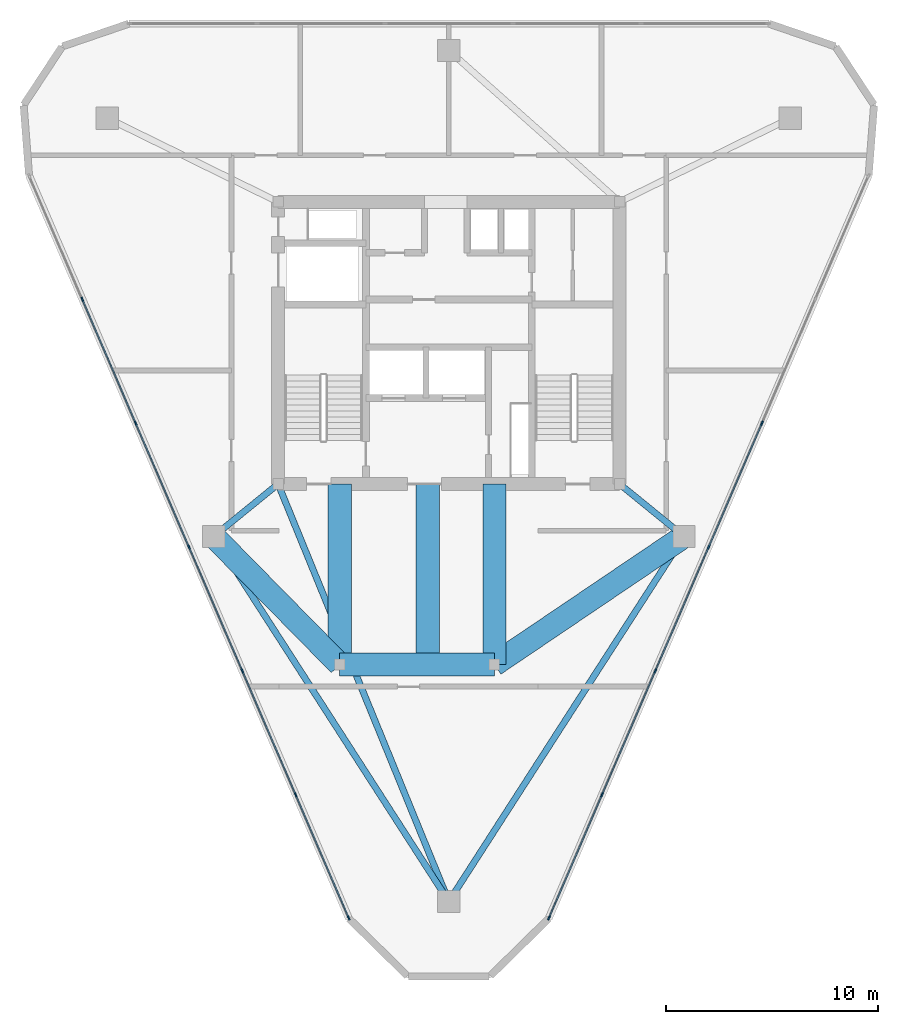
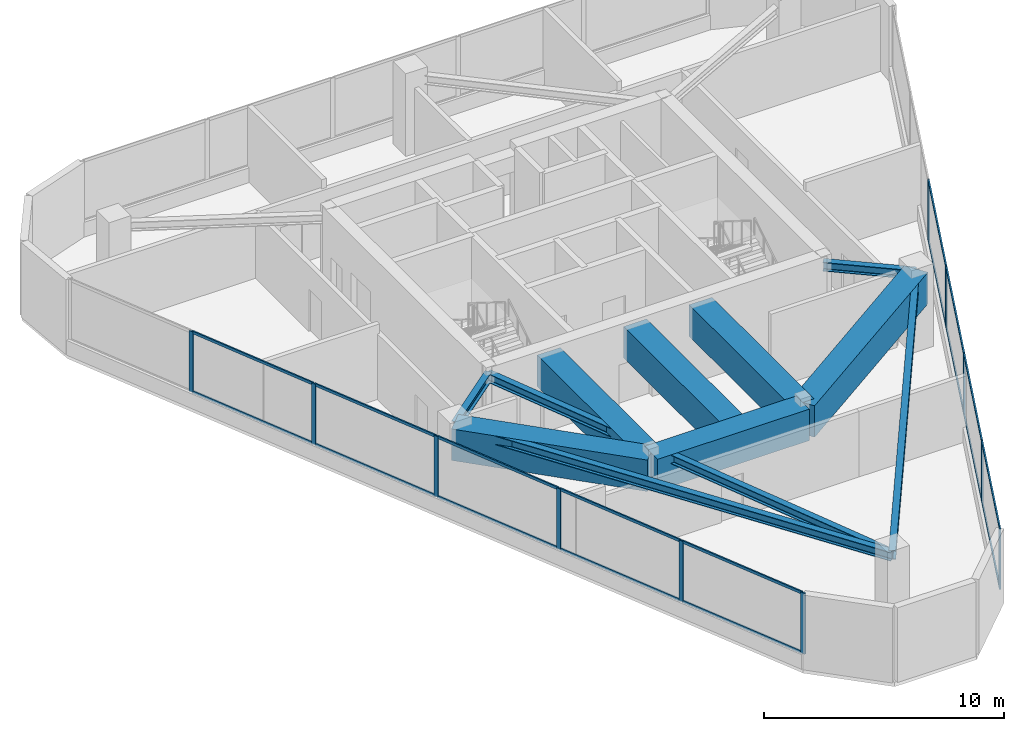
# One storey, part 2 of 7: 29 members, 11 beams, 2 elements without a shape of their own.
"""IFC4 building model written with IfcOpenShell, lengths in metres."""

from ifc_helpers import new_model, si_unit, direction, frame, origin, origin_2d, place, context, subcontext, project, spatial, rectangle, i_section, extrude, material, layer, layer_set, material_profile, profile_set, type_object, element, aggregate, save


model = new_model("IFC4")

# Units and contexts
model_context = context("Model", 3, precision=1e-05, world=origin(), true_north=direction((0.0, 1.0)))
body_context = subcontext(model_context, "Body", "Model", "MODEL_VIEW")
ifc_project = project(units=[si_unit("LENGTHUNIT", "METRE"), si_unit("AREAUNIT", "SQUARE_METRE"), si_unit("VOLUMEUNIT", "CUBIC_METRE"), si_unit("PLANEANGLEUNIT", "RADIAN"), si_unit("MASSUNIT", "GRAM", prefix="KILO")], contexts=[model_context])

# Site, building, storey
site_placement = place(None, origin())
site = spatial("IfcSite", under=ifc_project, at=site_placement, CompositionType="ELEMENT")
building_placement = place(site_placement, origin())
building = spatial("IfcBuilding", under=site, at=building_placement, Name="Talyreon Biosciences Tower", CompositionType="ELEMENT")
storey_placement = place(building_placement, frame((0.0, 0.0, 313.0)))
storey = spatial("IfcBuildingStorey", under=building, at=storey_placement, Name="L83", CompositionType="ELEMENT", Elevation=313.0)

# Curtain wall, members
ifc_material_1 = material(Name="Thermally broken aluminium and low-E glazing", Category="aluminium")
ifc_layer = layer(ifc_material_1, 0.2099609375)
ifc_layer_set = layer_set([ifc_layer], Name="Thermally broken aluminium and low-E glazing")
curtain_wall_type = type_object("IfcCurtainWallType", Name="CurtainWall_SlantedCrown", PredefinedType="NOTDEFINED", material=ifc_layer_set)
curtain_wall_1_placement = place(storey_placement, origin())
curtain_wall_1 = element("IfcCurtainWall", 1, at=curtain_wall_1_placement, inside=storey, type_object=curtain_wall_type, Name="L83 Unitised Curtain Wall FCW-L83-07C", PredefinedType="NOTDEFINED")
ifc_material_2 = material(Name="Anodised thermally broken aluminium", Category="aluminium")
ifc_material_profile_1 = material_profile(ifc_material_2, rectangle(XDim=0.074951171875, YDim=0.2099609375, at=origin_2d()), Name="ALUM MULLION 75x210")
ifc_profile_set_1 = profile_set([ifc_material_profile_1], Name="Anodised thermally broken aluminium")
member_type_1 = type_object("IfcMemberType", Name="CWMullion_75x210", PredefinedType="MULLION", material=ifc_profile_set_1)
member_1_placement = place(storey_placement, frame((80.767822265625, 64.22021484375, 0.7099609375), z_axis=(0.0, 0.0, 1.0), x_axis=(0.918487228756, -0.395450642447, 0.0)))
member_1 = element("IfcMember", 2, at=member_1_placement, type_object=member_type_1, Name="CW8 mullion 3", PredefinedType="MULLION", context=body_context, shape_type="SweptSolid", body=[
    extrude(rectangle(XDim=0.074951171875, YDim=0.2099609375, at=origin_2d()), origin(), (0.0, 0.0, 1.0), 3.090087890625),
])
member_2_placement = place(storey_placement, frame((78.253173828125, 58.379150390625, 0.7099609375), z_axis=(0.0, 0.0, 1.0), x_axis=(0.918487228756, -0.395450642447, 0.0)))
member_2 = element("IfcMember", 3, at=member_2_placement, type_object=member_type_1, Name="CW8 mullion 4", PredefinedType="MULLION", context=body_context, shape_type="SweptSolid", body=[
    extrude(rectangle(XDim=0.074951171875, YDim=0.2099609375, at=origin_2d()), origin(), (0.0, 0.0, 1.0), 3.090087890625),
])
member_3_placement = place(storey_placement, frame((75.73828125, 52.538330078125, 0.7099609375), z_axis=(0.0, 0.0, 1.0), x_axis=(0.918487228756, -0.395450642447, 0.0)))
member_3 = element("IfcMember", 4, at=member_3_placement, type_object=member_type_1, Name="CW8 mullion 5", PredefinedType="MULLION", context=body_context, shape_type="SweptSolid", body=[
    extrude(rectangle(XDim=0.074951171875, YDim=0.2099609375, at=origin_2d()), origin(), (0.0, 0.0, 1.0), 3.090087890625),
])
member_4_placement = place(storey_placement, frame((73.2236328125, 46.697509765625, 0.7099609375), z_axis=(0.0, 0.0, 1.0), x_axis=(0.918487228756, -0.395450642447, 0.0)))
member_4 = element("IfcMember", 5, at=member_4_placement, type_object=member_type_1, Name="CW8 mullion 6", PredefinedType="MULLION", context=body_context, shape_type="SweptSolid", body=[
    extrude(rectangle(XDim=0.074951171875, YDim=0.2099609375, at=origin_2d()), origin(), (0.0, 0.0, 1.0), 3.090087890625),
])
member_5_placement = place(storey_placement, frame((70.7236328125, 40.89111328125, 0.7099609375), z_axis=(0.0, 0.0, 1.0), x_axis=(0.918487228756, -0.395450642447, 0.0)))
member_5 = element("IfcMember", 6, at=member_5_placement, type_object=member_type_1, Name="CW8 mullion 7", PredefinedType="MULLION", context=body_context, shape_type="SweptSolid", body=[
    extrude(rectangle(XDim=0.074951171875, YDim=0.2099609375, at=origin_2d()), origin(), (0.0, 0.0, 1.0), 3.090087890625),
])

curtain_wall_2_placement = place(storey_placement, origin())
curtain_wall_2 = element("IfcCurtainWall", 7, at=curtain_wall_2_placement, inside=storey, type_object=curtain_wall_type, Name="L83 Unitised Curtain Wall FCW-L83-11C", PredefinedType="NOTDEFINED")
member_6_placement = place(storey_placement, frame((61.2763671875, 40.89111328125, 0.7099609375), z_axis=(0.0, 0.0, 1.0), x_axis=(-0.918487228756, -0.395450642447, 0.0)))
member_6 = element("IfcMember", 8, at=member_6_placement, type_object=member_type_1, Name="CW8 mullion 1", PredefinedType="MULLION", context=body_context, shape_type="SweptSolid", body=[
    extrude(rectangle(XDim=0.074951171875, YDim=0.2099609375, at=origin_2d()), origin(), (0.0, 0.0, 1.0), 3.090087890625),
])
member_7_placement = place(storey_placement, frame((58.7763671875, 46.697509765625, 0.7099609375), z_axis=(0.0, 0.0, 1.0), x_axis=(-0.918487228756, -0.395450642447, 0.0)))
member_7 = element("IfcMember", 9, at=member_7_placement, type_object=member_type_1, Name="CW8 mullion 2", PredefinedType="MULLION", context=body_context, shape_type="SweptSolid", body=[
    extrude(rectangle(XDim=0.074951171875, YDim=0.2099609375, at=origin_2d()), origin(), (0.0, 0.0, 1.0), 3.090087890625),
])
member_8_placement = place(storey_placement, frame((56.26171875, 52.538330078125, 0.7099609375), z_axis=(0.0, 0.0, 1.0), x_axis=(-0.918487228756, -0.395450642447, 0.0)))
member_8 = element("IfcMember", 10, at=member_8_placement, type_object=member_type_1, Name="CW8 mullion 3", PredefinedType="MULLION", context=body_context, shape_type="SweptSolid", body=[
    extrude(rectangle(XDim=0.074951171875, YDim=0.2099609375, at=origin_2d()), origin(), (0.0, 0.0, 1.0), 3.090087890625),
])
member_9_placement = place(storey_placement, frame((53.746826171875, 58.379150390625, 0.7099609375), z_axis=(0.0, 0.0, 1.0), x_axis=(-0.918487228756, -0.395450642447, 0.0)))
member_9 = element("IfcMember", 11, at=member_9_placement, type_object=member_type_1, Name="CW8 mullion 4", PredefinedType="MULLION", context=body_context, shape_type="SweptSolid", body=[
    extrude(rectangle(XDim=0.074951171875, YDim=0.2099609375, at=origin_2d()), origin(), (0.0, 0.0, 1.0), 3.090087890625),
])
member_10_placement = place(storey_placement, frame((51.232177734375, 64.22021484375, 0.7099609375), z_axis=(0.0, 0.0, 1.0), x_axis=(-0.918487228756, -0.395450642447, 0.0)))
member_10 = element("IfcMember", 12, at=member_10_placement, type_object=member_type_1, Name="CW8 mullion 5", PredefinedType="MULLION", context=body_context, shape_type="SweptSolid", body=[
    extrude(rectangle(XDim=0.074951171875, YDim=0.2099609375, at=origin_2d()), origin(), (0.0, 0.0, 1.0), 3.090087890625),
])
member_11_placement = place(storey_placement, frame((48.71728515625, 70.06103515625, 0.7099609375), z_axis=(0.0, 0.0, 1.0), x_axis=(-0.918487228756, -0.395450642447, 0.0)))
member_11 = element("IfcMember", 13, at=member_11_placement, type_object=member_type_1, Name="CW8 mullion 6", PredefinedType="MULLION", context=body_context, shape_type="SweptSolid", body=[
    extrude(rectangle(XDim=0.074951171875, YDim=0.2099609375, at=origin_2d()), origin(), (0.0, 0.0, 1.0), 3.090087890625),
])

# Member
ifc_material_profile_2 = material_profile(ifc_material_2, rectangle(XDim=0.06494140625, YDim=0.139892578125, at=origin_2d()), Name="ALUM TRANSOM 65x140")
ifc_profile_set_2 = profile_set([ifc_material_profile_2], Name="Anodised thermally broken aluminium")
member_type_2 = type_object("IfcMemberType", Name="CWTransom_65x140", PredefinedType="USERDEFINED", material=ifc_profile_set_2)
member_12_placement = place(storey_placement, frame((80.7529296875, 64.185791015625, 0.742431640625), z_axis=(-0.395437866988, -0.918492729069, 0.0), x_axis=(0.918492729069, -0.395437866988, 0.0)))
member_12 = element("IfcMember", 14, at=member_12_placement, type_object=member_type_2, Name="CW8 transom 3.1", ObjectType="TRANSOM", PredefinedType="USERDEFINED", context=body_context, shape_type="SweptSolid", body=[
    extrude(rectangle(XDim=0.06494140625, YDim=0.139892578125, at=origin_2d()), origin(), (0.0, 0.0, 1.0), 6.284423828125),
])

member_13_placement = place(storey_placement, frame((80.7529296875, 64.185791015625, 3.767578125), z_axis=(-0.395437866988, -0.918492729069, 0.0), x_axis=(0.918492729069, -0.395437866988, 0.0)))
member_13 = element("IfcMember", 15, at=member_13_placement, type_object=member_type_2, Name="CW8 transom 3.2", ObjectType="TRANSOM", PredefinedType="USERDEFINED", context=body_context, shape_type="SweptSolid", body=[
    extrude(rectangle(XDim=0.06494140625, YDim=0.139892578125, at=origin_2d()), origin(), (0.0, 0.0, 1.0), 6.284423828125),
])

member_14_placement = place(storey_placement, frame((78.23828125, 58.3447265625, 0.742431640625), z_axis=(-0.395451977448, -0.918486653976, 0.0), x_axis=(0.918486653976, -0.395451977448, 0.0)))
member_14 = element("IfcMember", 16, at=member_14_placement, type_object=member_type_2, Name="CW8 transom 4.1", ObjectType="TRANSOM", PredefinedType="USERDEFINED", context=body_context, shape_type="SweptSolid", body=[
    extrude(rectangle(XDim=0.06494140625, YDim=0.139892578125, at=origin_2d()), origin(), (0.0, 0.0, 1.0), 6.2841796875),
])

member_15_placement = place(storey_placement, frame((78.23828125, 58.3447265625, 3.767578125), z_axis=(-0.395451977448, -0.918486653976, 0.0), x_axis=(0.918486653976, -0.395451977448, 0.0)))
member_15 = element("IfcMember", 17, at=member_15_placement, type_object=member_type_2, Name="CW8 transom 4.2", ObjectType="TRANSOM", PredefinedType="USERDEFINED", context=body_context, shape_type="SweptSolid", body=[
    extrude(rectangle(XDim=0.06494140625, YDim=0.139892578125, at=origin_2d()), origin(), (0.0, 0.0, 1.0), 6.2841796875),
])

member_16_placement = place(storey_placement, frame((75.723388671875, 52.50390625, 0.742431640625), z_axis=(-0.395451977448, -0.918486653976, 0.0), x_axis=(0.918486653976, -0.395451977448, 0.0)))
member_16 = element("IfcMember", 18, at=member_16_placement, type_object=member_type_2, Name="CW8 transom 5.1", ObjectType="TRANSOM", PredefinedType="USERDEFINED", context=body_context, shape_type="SweptSolid", body=[
    extrude(rectangle(XDim=0.06494140625, YDim=0.139892578125, at=origin_2d()), origin(), (0.0, 0.0, 1.0), 6.2841796875),
])

member_17_placement = place(storey_placement, frame((75.723388671875, 52.50390625, 3.767578125), z_axis=(-0.395451977448, -0.918486653976, 0.0), x_axis=(0.918486653976, -0.395451977448, 0.0)))
member_17 = element("IfcMember", 19, at=member_17_placement, type_object=member_type_2, Name="CW8 transom 5.2", ObjectType="TRANSOM", PredefinedType="USERDEFINED", context=body_context, shape_type="SweptSolid", body=[
    extrude(rectangle(XDim=0.06494140625, YDim=0.139892578125, at=origin_2d()), origin(), (0.0, 0.0, 1.0), 6.2841796875),
])

member_18_placement = place(storey_placement, frame((73.208740234375, 46.6630859375, 0.742431640625), z_axis=(-0.395442322604, -0.918490810784, 0.0), x_axis=(0.918490810784, -0.395442322604, 0.0)))
member_18 = element("IfcMember", 20, at=member_18_placement, type_object=member_type_2, Name="CW8 transom 6.1", ObjectType="TRANSOM", PredefinedType="USERDEFINED", context=body_context, shape_type="SweptSolid", body=[
    extrude(rectangle(XDim=0.06494140625, YDim=0.139892578125, at=origin_2d()), origin(), (0.0, 0.0, 1.0), 6.246826171875),
])

member_19_placement = place(storey_placement, frame((73.208740234375, 46.6630859375, 3.767578125), z_axis=(-0.395442322604, -0.918490810784, 0.0), x_axis=(0.918490810784, -0.395442322604, 0.0)))
member_19 = element("IfcMember", 21, at=member_19_placement, type_object=member_type_2, Name="CW8 transom 6.2", ObjectType="TRANSOM", PredefinedType="USERDEFINED", context=body_context, shape_type="SweptSolid", body=[
    extrude(rectangle(XDim=0.06494140625, YDim=0.139892578125, at=origin_2d()), origin(), (0.0, 0.0, 1.0), 6.246826171875),
])

aggregate(curtain_wall_1, [member_1, member_2, member_3, member_4, member_5, member_12, member_13, member_14, member_15, member_16, member_17, member_18, member_19])

member_20_placement = place(storey_placement, frame((61.261474609375, 40.925537109375, 0.742431640625), z_axis=(-0.395442322604, 0.918490810784, 0.0), x_axis=(-0.918490810784, -0.395442322604, 0.0)))
member_20 = element("IfcMember", 22, at=member_20_placement, type_object=member_type_2, Name="CW8 transom 1.1", ObjectType="TRANSOM", PredefinedType="USERDEFINED", context=body_context, shape_type="SweptSolid", body=[
    extrude(rectangle(XDim=0.06494140625, YDim=0.139892578125, at=origin_2d()), origin(), (0.0, 0.0, 1.0), 6.246826171875),
])

member_21_placement = place(storey_placement, frame((61.261474609375, 40.925537109375, 3.767578125), z_axis=(-0.395442322604, 0.918490810784, 0.0), x_axis=(-0.918490810784, -0.395442322604, 0.0)))
member_21 = element("IfcMember", 23, at=member_21_placement, type_object=member_type_2, Name="CW8 transom 1.2", ObjectType="TRANSOM", PredefinedType="USERDEFINED", context=body_context, shape_type="SweptSolid", body=[
    extrude(rectangle(XDim=0.06494140625, YDim=0.139892578125, at=origin_2d()), origin(), (0.0, 0.0, 1.0), 6.246826171875),
])

member_22_placement = place(storey_placement, frame((58.76171875, 46.73193359375, 0.742431640625), z_axis=(-0.395451977448, 0.918486653976, 0.0), x_axis=(-0.918486653976, -0.395451977448, 0.0)))
member_22 = element("IfcMember", 24, at=member_22_placement, type_object=member_type_2, Name="CW8 transom 2.1", ObjectType="TRANSOM", PredefinedType="USERDEFINED", context=body_context, shape_type="SweptSolid", body=[
    extrude(rectangle(XDim=0.06494140625, YDim=0.139892578125, at=origin_2d()), origin(), (0.0, 0.0, 1.0), 6.2841796875),
])

member_23_placement = place(storey_placement, frame((58.76171875, 46.73193359375, 3.767578125), z_axis=(-0.395451977448, 0.918486653976, 0.0), x_axis=(-0.918486653976, -0.395451977448, 0.0)))
member_23 = element("IfcMember", 25, at=member_23_placement, type_object=member_type_2, Name="CW8 transom 2.2", ObjectType="TRANSOM", PredefinedType="USERDEFINED", context=body_context, shape_type="SweptSolid", body=[
    extrude(rectangle(XDim=0.06494140625, YDim=0.139892578125, at=origin_2d()), origin(), (0.0, 0.0, 1.0), 6.2841796875),
])

member_24_placement = place(storey_placement, frame((56.246826171875, 52.57275390625, 0.742431640625), z_axis=(-0.395451977448, 0.918486653976, 0.0), x_axis=(-0.918486653976, -0.395451977448, 0.0)))
member_24 = element("IfcMember", 26, at=member_24_placement, type_object=member_type_2, Name="CW8 transom 3.1", ObjectType="TRANSOM", PredefinedType="USERDEFINED", context=body_context, shape_type="SweptSolid", body=[
    extrude(rectangle(XDim=0.06494140625, YDim=0.139892578125, at=origin_2d()), origin(), (0.0, 0.0, 1.0), 6.2841796875),
])

member_25_placement = place(storey_placement, frame((56.246826171875, 52.57275390625, 3.767578125), z_axis=(-0.395451977448, 0.918486653976, 0.0), x_axis=(-0.918486653976, -0.395451977448, 0.0)))
member_25 = element("IfcMember", 27, at=member_25_placement, type_object=member_type_2, Name="CW8 transom 3.2", ObjectType="TRANSOM", PredefinedType="USERDEFINED", context=body_context, shape_type="SweptSolid", body=[
    extrude(rectangle(XDim=0.06494140625, YDim=0.139892578125, at=origin_2d()), origin(), (0.0, 0.0, 1.0), 6.2841796875),
])

member_26_placement = place(storey_placement, frame((53.732177734375, 58.41357421875, 0.742431640625), z_axis=(-0.395437866988, 0.918492729069, 0.0), x_axis=(-0.918492729069, -0.395437866988, 0.0)))
member_26 = element("IfcMember", 28, at=member_26_placement, type_object=member_type_2, Name="CW8 transom 4.1", ObjectType="TRANSOM", PredefinedType="USERDEFINED", context=body_context, shape_type="SweptSolid", body=[
    extrude(rectangle(XDim=0.06494140625, YDim=0.139892578125, at=origin_2d()), origin(), (0.0, 0.0, 1.0), 6.284423828125),
])

member_27_placement = place(storey_placement, frame((53.732177734375, 58.41357421875, 3.767578125), z_axis=(-0.395437866988, 0.918492729069, 0.0), x_axis=(-0.918492729069, -0.395437866988, 0.0)))
member_27 = element("IfcMember", 29, at=member_27_placement, type_object=member_type_2, Name="CW8 transom 4.2", ObjectType="TRANSOM", PredefinedType="USERDEFINED", context=body_context, shape_type="SweptSolid", body=[
    extrude(rectangle(XDim=0.06494140625, YDim=0.139892578125, at=origin_2d()), origin(), (0.0, 0.0, 1.0), 6.284423828125),
])

member_28_placement = place(storey_placement, frame((51.21728515625, 64.254638671875, 0.742431640625), z_axis=(-0.395451977448, 0.918486653976, 0.0), x_axis=(-0.918486653976, -0.395451977448, 0.0)))
member_28 = element("IfcMember", 30, at=member_28_placement, type_object=member_type_2, Name="CW8 transom 5.1", ObjectType="TRANSOM", PredefinedType="USERDEFINED", context=body_context, shape_type="SweptSolid", body=[
    extrude(rectangle(XDim=0.06494140625, YDim=0.139892578125, at=origin_2d()), origin(), (0.0, 0.0, 1.0), 6.2841796875),
])

member_29_placement = place(storey_placement, frame((51.21728515625, 64.254638671875, 3.767578125), z_axis=(-0.395451977448, 0.918486653976, 0.0), x_axis=(-0.918486653976, -0.395451977448, 0.0)))
member_29 = element("IfcMember", 31, at=member_29_placement, type_object=member_type_2, Name="CW8 transom 5.2", ObjectType="TRANSOM", PredefinedType="USERDEFINED", context=body_context, shape_type="SweptSolid", body=[
    extrude(rectangle(XDim=0.06494140625, YDim=0.139892578125, at=origin_2d()), origin(), (0.0, 0.0, 1.0), 6.2841796875),
])

aggregate(curtain_wall_2, [member_6, member_7, member_8, member_9, member_10, member_11, member_20, member_21, member_22, member_23, member_24, member_25, member_26, member_27, member_28, member_29])

# Beams
ifc_material_3 = material(Name="Steel SM355", Category="steel")
ifc_material_profile_3 = material_profile(ifc_material_3, i_section(OverallWidth=0.300048828125, OverallDepth=0.449951171875, WebThickness=0.013916015625, FlangeThickness=0.02587890625, FilletRadius=0.027099609375, at=origin_2d()), Name="HE450B")
ifc_profile_set_3 = profile_set([ifc_material_profile_3], Name="Steel SM355")
beam_type_1 = type_object("IfcBeamType", Name="SteelBeam_HE450B", PredefinedType="BEAM", material=ifc_profile_set_3)
for number, where, z_axis, x_axis, name in (
    (32, (66.0, 41.6669921875, 3.574951171875), (0.541463723609, 0.840724114092, 0.0), (-0.840724114092, 0.541463723609, 0.0), "L83 Mega-Ring Girder 1"),
    (33, (54.913818359375, 58.88037109375, 3.574951171875), (0.541463723609, -0.840724114092, 0.0), (0.840724114092, 0.541463723609, 0.0), "L83 Mega-Ring Girder 6"),
):
    element("IfcBeam", number, at=place(storey_placement, frame(where, z_axis=z_axis, x_axis=x_axis)), inside=storey, type_object=beam_type_1, Name=name, PredefinedType="BEAM", context=body_context, shape_type="SweptSolid", body=[
        extrude(i_section(OverallWidth=0.300048828125, OverallDepth=0.449951171875, WebThickness=0.013916015625, FlangeThickness=0.02587890625, FilletRadius=0.027099609375, at=origin_2d()), origin(), (0.0, 0.0, 1.0), 20.474365234375),
    ])
beam_1_placement = place(storey_placement, frame((57.949951171875, 61.35009765625, 3.574951171875), z_axis=(0.378547014545, -0.925582064314, 0.0), x_axis=(0.925582064314, 0.378547014545, 0.0)))
element("IfcBeam", 34, at=beam_1_placement, inside=storey, type_object=beam_type_1, Name="L83 Radial Primary Girder 1", PredefinedType="BEAM", context=body_context, shape_type="SweptSolid", body=[
    extrude(i_section(OverallWidth=0.300048828125, OverallDepth=0.449951171875, WebThickness=0.013916015625, FlangeThickness=0.02587890625, FilletRadius=0.027099609375, at=origin_2d()), origin(), (0.0, 0.0, 1.0), 21.265625),
])
for number, where, z_axis, x_axis, name in (
    (35, (74.050048828125, 61.35009765625, 3.574951171875), (0.775755154013, -0.631034025249, 0.0), (0.631034025249, 0.775755154013, 0.0), "L83 Radial Primary Girder 2"),
    (36, (57.949951171875, 61.35009765625, 3.574951171875), (-0.775755154013, -0.631034025249, 0.0), (0.631034025249, -0.775755154013, 0.0), "L83 Radial Primary Girder 6"),
):
    element("IfcBeam", number, at=place(storey_placement, frame(where, z_axis=z_axis, x_axis=x_axis)), inside=storey, type_object=beam_type_1, Name=name, PredefinedType="BEAM", context=body_context, shape_type="SweptSolid", body=[
        extrude(i_section(OverallWidth=0.300048828125, OverallDepth=0.449951171875, WebThickness=0.013916015625, FlangeThickness=0.02587890625, FilletRadius=0.027099609375, at=origin_2d()), origin(), (0.0, 0.0, 1.0), 3.913818359375),
    ])
ifc_material_4 = material(Name="Concrete C50/60", Category="concrete")
ifc_material_profile_4 = material_profile(ifc_material_4, rectangle(XDim=1.10009765625, YDim=1.60009765625, at=origin_2d()), Name="RCB 1100x1600")
ifc_profile_set_4 = profile_set([ifc_material_profile_4], Name="Concrete C50/60")
beam_type_2 = type_object("IfcBeamType", Name="TransferGirder_1100x1600", PredefinedType="T_BEAM", material=ifc_profile_set_4)
beam_2_placement = place(storey_placement, frame((60.85009765625, 52.840087890625, 3.0), z_axis=(1.0, 0.0, 0.0), x_axis=(0.0, 1.0, 0.0)))
element("IfcBeam", 37, at=beam_2_placement, inside=storey, type_object=beam_type_2, Name="L83 Crown Shaft Spine Girder S", PredefinedType="T_BEAM", context=body_context, shape_type="SweptSolid", body=[
    extrude(rectangle(XDim=1.10009765625, YDim=1.60009765625, at=origin_2d()), origin(), (0.0, 0.0, 1.0), 7.2998046875),
])
for number, where, z_axis, x_axis, name in (
    (38, (60.85009765625, 52.840087890625, 3.0), (0.0, 1.0, 0.0), (-1.0, 0.0, 0.0), "L83 Crown Shaft Tie Girder W"),
    (39, (68.14990234375, 52.840087890625, 3.0), (0.0, 1.0, 0.0), (-1.0, 0.0, 0.0), "L83 Crown Shaft Tie Girder E"),
    (40, (65.0, 52.840087890625, 3.0), (0.0, 1.0, 0.0), (-1.0, 0.0, 0.0), "L83 Crown Shaft Mid Transfer Girder"),
):
    element("IfcBeam", number, at=place(storey_placement, frame(where, z_axis=z_axis, x_axis=x_axis)), inside=storey, type_object=beam_type_2, Name=name, PredefinedType="T_BEAM", context=body_context, shape_type="SweptSolid", body=[
        extrude(rectangle(XDim=1.10009765625, YDim=1.60009765625, at=origin_2d()), origin(), (0.0, 0.0, 1.0), 8.510009765625),
    ])
beam_3_placement = place(storey_placement, frame((60.85009765625, 52.840087890625, 3.0), z_axis=(-0.700939870305, 0.713220371426, 0.0), x_axis=(-0.713220371426, -0.700939870305, 0.0)))
element("IfcBeam", 41, at=beam_3_placement, inside=storey, type_object=beam_type_2, Name="L83 Crown Flank Girder MC6", PredefinedType="T_BEAM", context=body_context, shape_type="SweptSolid", body=[
    extrude(rectangle(XDim=1.10009765625, YDim=1.60009765625, at=origin_2d()), origin(), (0.0, 0.0, 1.0), 8.468994140625),
])
beam_4_placement = place(storey_placement, frame((68.14990234375, 52.840087890625, 3.0), z_axis=(0.828491902441, 0.560001042491, 0.0), x_axis=(-0.560001042491, 0.828491902441, 0.0)))
element("IfcBeam", 42, at=beam_4_placement, inside=storey, type_object=beam_type_2, Name="L83 Crown Flank Girder MC4", PredefinedType="T_BEAM", context=body_context, shape_type="SweptSolid", body=[
    extrude(rectangle(XDim=1.10009765625, YDim=1.60009765625, at=origin_2d()), origin(), (0.0, 0.0, 1.0), 10.7861328125),
])

save(model, "model.ifc")
